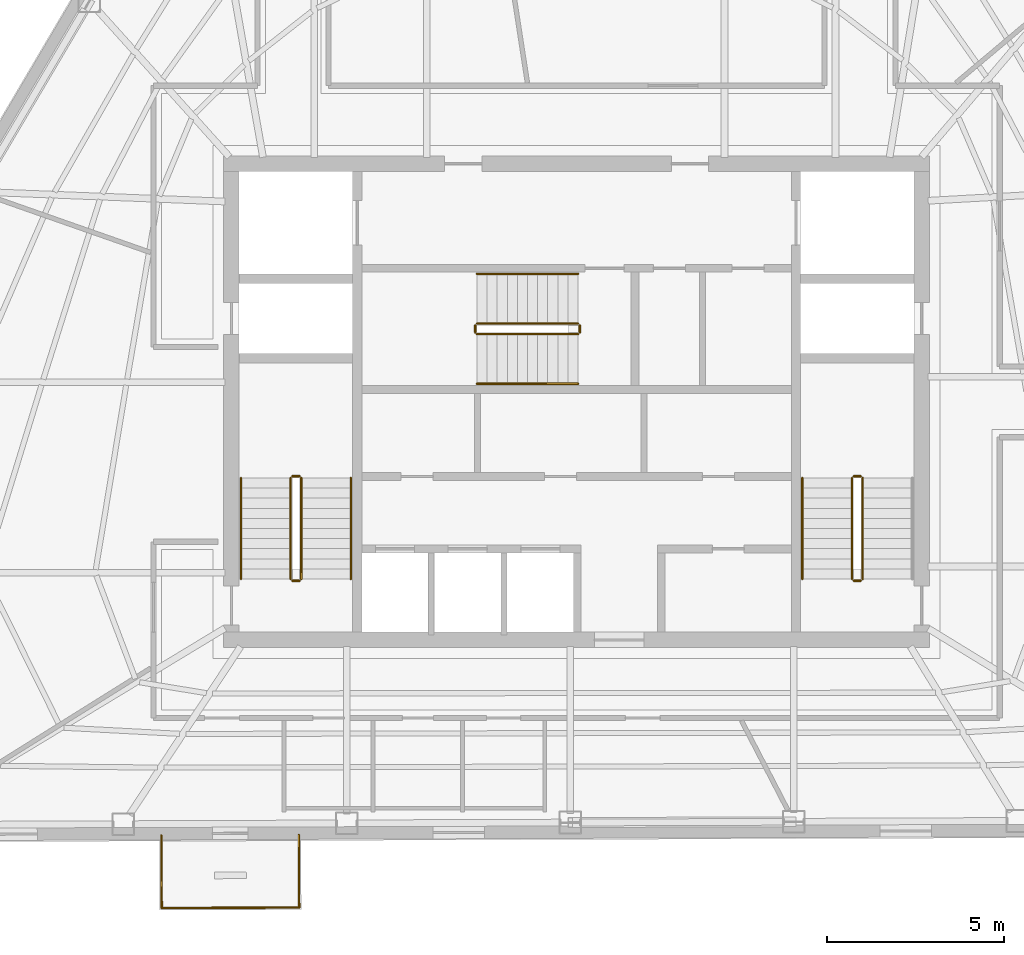
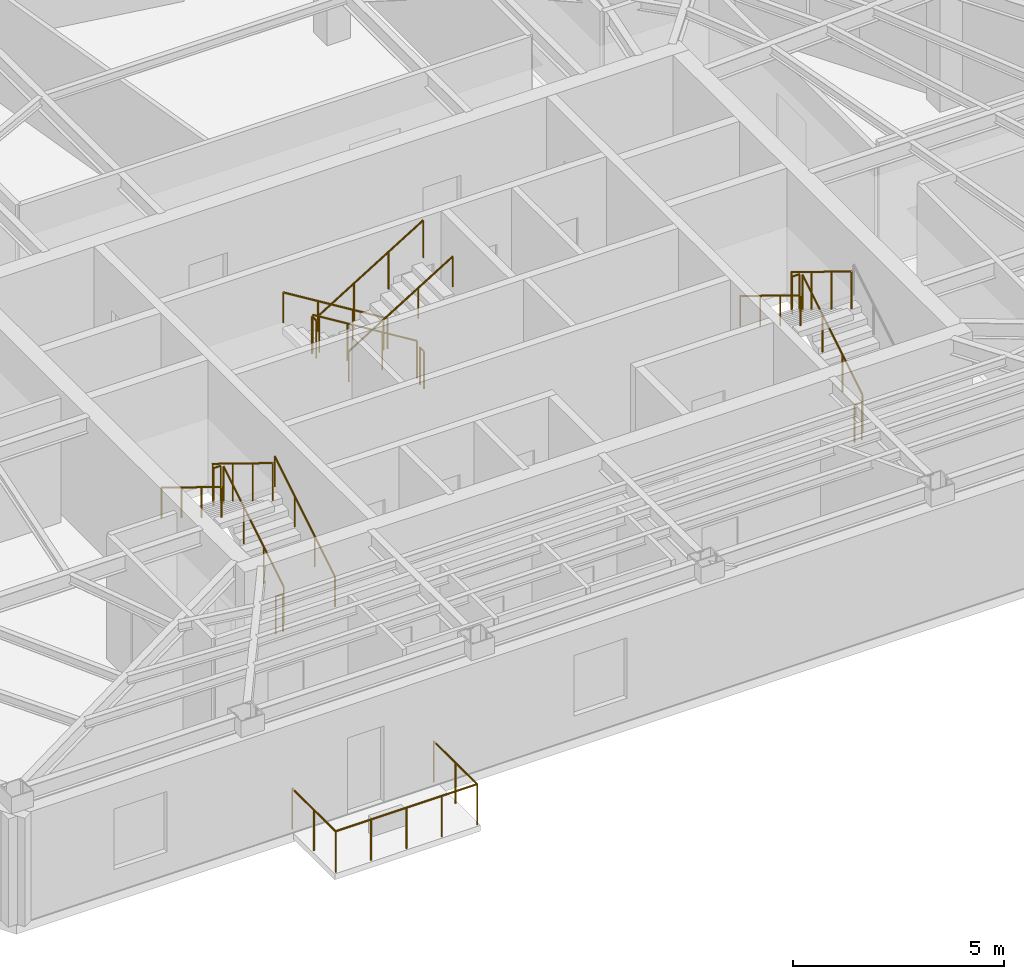
# One storey, part 8 of 9: 20 railings.
"""IFC4 building model written with IfcOpenShell, lengths in metres."""

from ifc_helpers import new_model, si_unit, direction, frame, origin, origin_2d, place, context, subcontext, project, spatial, circle, extrude, material, type_object, element, save


model = new_model("IFC4")

# Units and contexts
model_context = context("Model", 3, precision=1e-05, world=origin(), true_north=direction((0.0, 1.0)))
body_context = subcontext(model_context, "Body", "Model", "MODEL_VIEW")
ifc_project = project(units=[si_unit("LENGTHUNIT", "METRE"), si_unit("AREAUNIT", "SQUARE_METRE"), si_unit("VOLUMEUNIT", "CUBIC_METRE"), si_unit("PLANEANGLEUNIT", "RADIAN"), si_unit("MASSUNIT", "GRAM", prefix="KILO")], contexts=[model_context])

# Site, building, storey
site_placement = place(None, origin())
site = spatial("IfcSite", under=ifc_project, at=site_placement, CompositionType="ELEMENT")
building_placement = place(site_placement, origin())
building = spatial("IfcBuilding", under=site, at=building_placement, Name="Kavelnor Concourse Tower", CompositionType="ELEMENT")
storey_placement = place(building_placement, frame((0.0, 0.0, 207.35009765625)))
storey = spatial("IfcBuildingStorey", under=building, at=storey_placement, Name="L52", CompositionType="ELEMENT", Elevation=207.35009765625)

# Railings
ifc_material_1 = material(Name="Steel Grade 350", Category="steel")
railing_type_1 = type_object("IfcRailingType", Name="RLG-GUARD-1100", PredefinedType="GUARDRAIL", material=ifc_material_1)
railing_1_placement = place(storey_placement, frame((30.22998046875, 11.10009765625, 0.1748046875)))
element("IfcRailing", 1, at=railing_1_placement, inside=storey, type_object=railing_type_1, Name="L52 ST1 stair guard 1", PredefinedType="GUARDRAIL", context=body_context, shape_type="SweptSolid", body=[
    extrude(circle(Radius=0.02392578125, at=origin_2d()), frame((0.0, 0.0, 1.076171875), z_axis=(0.0, 0.852159232446, 0.523282564737), x_axis=(-1.0, 0.0, 0.0)), (0.0, 0.0, 1.0), 3.34423828125),
    extrude(circle(Radius=0.02099609375, at=origin_2d()), origin(), (0.0, 0.0, 1.0), 1.052001953125),
    extrude(circle(Radius=0.02099609375, at=origin_2d()), frame((0.0, 0.949951171875, 0.583251953125)), (0.0, 0.0, 1.0), 1.052001953125),
    extrude(circle(Radius=0.02099609375, at=origin_2d()), frame((0.0, 1.89990234375, 1.166748046875)), (0.0, 0.0, 1.0), 1.052001953125),
    extrude(circle(Radius=0.02099609375, at=origin_2d()), frame((0.0, 2.849853515625, 1.75)), (0.0, 0.0, 1.0), 1.052001953125),
])
railing_2_placement = place(storey_placement, frame((30.179931640625, 14.0, 1.9248046875)))
element("IfcRailing", 2, at=railing_2_placement, inside=storey, type_object=railing_type_1, Name="L52 ST1 stair guard 2", PredefinedType="GUARDRAIL", context=body_context, shape_type="SweptSolid", body=[
    extrude(circle(Radius=0.02392578125, at=origin_2d()), frame((0.0, 0.0, 1.076171875), z_axis=(-1.0, 0.0, 0.0), x_axis=(0.0, -1.0, 0.0)), (0.0, 0.0, 1.0), 0.199951171875),
    extrude(circle(Radius=0.02099609375, at=origin_2d()), origin(), (0.0, 0.0, 1.0), 1.052001953125),
    extrude(circle(Radius=0.02099609375, at=origin_2d()), frame((-0.199951171875, 0.0, 0.0)), (0.0, 0.0, 1.0), 1.052001953125),
])
railing_3_placement = place(storey_placement, frame((29.929931640625, 13.949951171875, 2.099853515625)))
element("IfcRailing", 3, at=railing_3_placement, inside=storey, type_object=railing_type_1, Name="L52 ST1 stair guard 3", PredefinedType="GUARDRAIL", context=body_context, shape_type="SweptSolid", body=[
    extrude(circle(Radius=0.02392578125, at=origin_2d()), frame((0.0, 0.0, 1.076171875), z_axis=(0.0, -0.852159232446, 0.523282564737), x_axis=(1.0, 0.0, 0.0)), (0.0, 0.0, 1.0), 3.34423828125),
    extrude(circle(Radius=0.02099609375, at=origin_2d()), origin(), (0.0, 0.0, 1.0), 1.052001953125),
    extrude(circle(Radius=0.02099609375, at=origin_2d()), frame((0.0, -0.949951171875, 0.583251953125)), (0.0, 0.0, 1.0), 1.052001953125),
    extrude(circle(Radius=0.02099609375, at=origin_2d()), frame((0.0, -1.89990234375, 1.166748046875)), (0.0, 0.0, 1.0), 1.052001953125),
    extrude(circle(Radius=0.02099609375, at=origin_2d()), frame((0.0, -2.849853515625, 1.75)), (0.0, 0.0, 1.0), 1.052001953125),
])
railing_4_placement = place(storey_placement, frame((30.179931640625, 11.050048828125, 0.0)))
element("IfcRailing", 4, at=railing_4_placement, inside=storey, type_object=railing_type_1, Name="L52 ST1 stair guard 4", PredefinedType="GUARDRAIL", context=body_context, shape_type="SweptSolid", body=[
    extrude(circle(Radius=0.02392578125, at=origin_2d()), frame((0.0, 0.0, 1.076171875), z_axis=(-1.0, 0.0, 0.0), x_axis=(0.0, -1.0, 0.0)), (0.0, 0.0, 1.0), 0.199951171875),
    extrude(circle(Radius=0.02099609375, at=origin_2d()), origin(), (0.0, 0.0, 1.0), 1.052001953125),
    extrude(circle(Radius=0.02099609375, at=origin_2d()), frame((-0.199951171875, 0.0, 0.0)), (0.0, 0.0, 1.0), 1.052001953125),
])
railing_5_placement = place(storey_placement, frame((46.070068359375, 11.10009765625, 0.1748046875)))
element("IfcRailing", 5, at=railing_5_placement, inside=storey, type_object=railing_type_1, Name="L52 ST2 stair guard 1", PredefinedType="GUARDRAIL", context=body_context, shape_type="SweptSolid", body=[
    extrude(circle(Radius=0.02392578125, at=origin_2d()), frame((0.0, 0.0, 1.076171875), z_axis=(0.0, 0.852159232446, 0.523282564737), x_axis=(-1.0, 0.0, 0.0)), (0.0, 0.0, 1.0), 3.34423828125),
    extrude(circle(Radius=0.02099609375, at=origin_2d()), origin(), (0.0, 0.0, 1.0), 1.052001953125),
    extrude(circle(Radius=0.02099609375, at=origin_2d()), frame((0.0, 0.949951171875, 0.583251953125)), (0.0, 0.0, 1.0), 1.052001953125),
    extrude(circle(Radius=0.02099609375, at=origin_2d()), frame((0.0, 1.89990234375, 1.166748046875)), (0.0, 0.0, 1.0), 1.052001953125),
    extrude(circle(Radius=0.02099609375, at=origin_2d()), frame((0.0, 2.849853515625, 1.75)), (0.0, 0.0, 1.0), 1.052001953125),
])
railing_6_placement = place(storey_placement, frame((46.02001953125, 14.0, 1.9248046875)))
element("IfcRailing", 6, at=railing_6_placement, inside=storey, type_object=railing_type_1, Name="L52 ST2 stair guard 2", PredefinedType="GUARDRAIL", context=body_context, shape_type="SweptSolid", body=[
    extrude(circle(Radius=0.02392578125, at=origin_2d()), frame((0.0, 0.0, 1.076171875), z_axis=(-1.0, 0.0, 0.0), x_axis=(0.0, -1.0, 0.0)), (0.0, 0.0, 1.0), 0.199951171875),
    extrude(circle(Radius=0.02099609375, at=origin_2d()), origin(), (0.0, 0.0, 1.0), 1.052001953125),
    extrude(circle(Radius=0.02099609375, at=origin_2d()), frame((-0.199951171875, 0.0, 0.0)), (0.0, 0.0, 1.0), 1.052001953125),
])
railing_7_placement = place(storey_placement, frame((45.77001953125, 13.949951171875, 2.099853515625)))
element("IfcRailing", 7, at=railing_7_placement, inside=storey, type_object=railing_type_1, Name="L52 ST2 stair guard 3", PredefinedType="GUARDRAIL", context=body_context, shape_type="SweptSolid", body=[
    extrude(circle(Radius=0.02392578125, at=origin_2d()), frame((0.0, 0.0, 1.076171875), z_axis=(0.0, -0.852159232446, 0.523282564737), x_axis=(1.0, 0.0, 0.0)), (0.0, 0.0, 1.0), 3.34423828125),
    extrude(circle(Radius=0.02099609375, at=origin_2d()), origin(), (0.0, 0.0, 1.0), 1.052001953125),
    extrude(circle(Radius=0.02099609375, at=origin_2d()), frame((0.0, -0.949951171875, 0.583251953125)), (0.0, 0.0, 1.0), 1.052001953125),
    extrude(circle(Radius=0.02099609375, at=origin_2d()), frame((0.0, -1.89990234375, 1.166748046875)), (0.0, 0.0, 1.0), 1.052001953125),
    extrude(circle(Radius=0.02099609375, at=origin_2d()), frame((0.0, -2.849853515625, 1.75)), (0.0, 0.0, 1.0), 1.052001953125),
])
railing_8_placement = place(storey_placement, frame((46.02001953125, 11.050048828125, 0.0)))
element("IfcRailing", 8, at=railing_8_placement, inside=storey, type_object=railing_type_1, Name="L52 ST2 stair guard 4", PredefinedType="GUARDRAIL", context=body_context, shape_type="SweptSolid", body=[
    extrude(circle(Radius=0.02392578125, at=origin_2d()), frame((0.0, 0.0, 1.076171875), z_axis=(-1.0, 0.0, 0.0), x_axis=(0.0, -1.0, 0.0)), (0.0, 0.0, 1.0), 0.199951171875),
    extrude(circle(Radius=0.02099609375, at=origin_2d()), origin(), (0.0, 0.0, 1.0), 1.052001953125),
    extrude(circle(Radius=0.02099609375, at=origin_2d()), frame((-0.199951171875, 0.0, 0.0)), (0.0, 0.0, 1.0), 1.052001953125),
])
railing_9_placement = place(storey_placement, frame((38.0400390625, 18.31005859375, 0.1748046875)))
element("IfcRailing", 9, at=railing_9_placement, inside=storey, type_object=railing_type_1, Name="L52 ST3 stair guard 1", PredefinedType="GUARDRAIL", context=body_context, shape_type="SweptSolid", body=[
    extrude(circle(Radius=0.02392578125, at=origin_2d()), frame((0.0, 0.0, 1.076171875), z_axis=(-0.852179220489, 0.0, 0.52325001306), x_axis=(0.0, -1.0, 0.0)), (0.0, 0.0, 1.0), 3.344482421875),
    extrude(circle(Radius=0.02099609375, at=origin_2d()), origin(), (0.0, 0.0, 1.0), 1.052001953125),
    extrude(circle(Radius=0.02099609375, at=origin_2d()), frame((-0.949951171875, 0.0, 0.583251953125)), (0.0, 0.0, 1.0), 1.052001953125),
    extrude(circle(Radius=0.02099609375, at=origin_2d()), frame((-1.900146484375, 0.0, 1.166748046875)), (0.0, 0.0, 1.0), 1.052001953125),
    extrude(circle(Radius=0.02099609375, at=origin_2d()), frame((-2.85009765625, 0.0, 1.75)), (0.0, 0.0, 1.0), 1.052001953125),
])
railing_10_placement = place(storey_placement, frame((35.139892578125, 18.260009765625, 1.9248046875)))
element("IfcRailing", 10, at=railing_10_placement, inside=storey, type_object=railing_type_1, Name="L52 ST3 stair guard 2", PredefinedType="GUARDRAIL", context=body_context, shape_type="SweptSolid", body=[
    extrude(circle(Radius=0.02392578125, at=origin_2d()), frame((0.0, 0.0, 1.076171875), z_axis=(0.0, -1.0, 0.0), x_axis=(1.0, 0.0, 0.0)), (0.0, 0.0, 1.0), 0.199951171875),
    extrude(circle(Radius=0.02099609375, at=origin_2d()), origin(), (0.0, 0.0, 1.0), 1.052001953125),
    extrude(circle(Radius=0.02099609375, at=origin_2d()), frame((0.0, -0.199951171875, 0.0)), (0.0, 0.0, 1.0), 1.052001953125),
])
railing_11_placement = place(storey_placement, frame((35.18994140625, 18.010009765625, 2.099853515625)))
element("IfcRailing", 11, at=railing_11_placement, inside=storey, type_object=railing_type_1, Name="L52 ST3 stair guard 3", PredefinedType="GUARDRAIL", context=body_context, shape_type="SweptSolid", body=[
    extrude(circle(Radius=0.02392578125, at=origin_2d()), frame((0.0, 0.0, 1.076171875), z_axis=(0.852179220489, 0.0, 0.52325001306), x_axis=(0.0, 1.0, 0.0)), (0.0, 0.0, 1.0), 3.344482421875),
    extrude(circle(Radius=0.02099609375, at=origin_2d()), origin(), (0.0, 0.0, 1.0), 1.052001953125),
    extrude(circle(Radius=0.02099609375, at=origin_2d()), frame((0.949951171875, 0.0, 0.583251953125)), (0.0, 0.0, 1.0), 1.052001953125),
    extrude(circle(Radius=0.02099609375, at=origin_2d()), frame((1.900146484375, 0.0, 1.166748046875)), (0.0, 0.0, 1.0), 1.052001953125),
    extrude(circle(Radius=0.02099609375, at=origin_2d()), frame((2.85009765625, 0.0, 1.75)), (0.0, 0.0, 1.0), 1.052001953125),
])
railing_12_placement = place(storey_placement, frame((38.090087890625, 18.260009765625, 0.0)))
element("IfcRailing", 12, at=railing_12_placement, inside=storey, type_object=railing_type_1, Name="L52 ST3 stair guard 4", PredefinedType="GUARDRAIL", context=body_context, shape_type="SweptSolid", body=[
    extrude(circle(Radius=0.02392578125, at=origin_2d()), frame((0.0, 0.0, 1.076171875), z_axis=(0.0, -1.0, 0.0), x_axis=(1.0, 0.0, 0.0)), (0.0, 0.0, 1.0), 0.199951171875),
    extrude(circle(Radius=0.02099609375, at=origin_2d()), origin(), (0.0, 0.0, 1.0), 1.052001953125),
    extrude(circle(Radius=0.02099609375, at=origin_2d()), frame((0.0, -0.199951171875, 0.0)), (0.0, 0.0, 1.0), 1.052001953125),
])
railing_type_2 = type_object("IfcRailingType", Name="RLG-HANDRAIL-900", PredefinedType="HANDRAIL", material=ifc_material_1)
railing_13_placement = place(storey_placement, frame((31.6298828125, 11.10009765625, 0.1748046875)))
element("IfcRailing", 13, at=railing_13_placement, inside=storey, type_object=railing_type_2, Name="L52 ST1 stair handrail 1", PredefinedType="HANDRAIL", context=body_context, shape_type="SweptSolid", body=[
    extrude(circle(Radius=0.02392578125, at=origin_2d()), frame((0.0, 0.0, 0.8759765625), z_axis=(0.0, 0.852159232446, 0.523282564737), x_axis=(-1.0, 0.0, 0.0)), (0.0, 0.0, 1.0), 3.34423828125),
    extrude(circle(Radius=0.02099609375, at=origin_2d()), origin(), (0.0, 0.0, 1.0), 0.851806640625),
    extrude(circle(Radius=0.02099609375, at=origin_2d()), frame((0.0, 0.949951171875, 0.583251953125)), (0.0, 0.0, 1.0), 0.851806640625),
    extrude(circle(Radius=0.02099609375, at=origin_2d()), frame((0.0, 1.89990234375, 1.166748046875)), (0.0, 0.0, 1.0), 0.851806640625),
    extrude(circle(Radius=0.02099609375, at=origin_2d()), frame((0.0, 2.849853515625, 1.75)), (0.0, 0.0, 1.0), 0.851806640625),
])
for number, where, name in (
    (14, (28.530029296875, 13.949951171875, 2.099853515625), "L52 ST1 stair handrail 2"),
    (15, (44.3701171875, 13.949951171875, 2.099853515625), "L52 ST2 stair handrail 2"),
):
    element("IfcRailing", number, at=place(storey_placement, frame(where)), inside=storey, type_object=railing_type_2, Name=name, PredefinedType="HANDRAIL", context=body_context, shape_type="SweptSolid", body=[
        extrude(circle(Radius=0.02392578125, at=origin_2d()), frame((0.0, 0.0, 0.8759765625), z_axis=(0.0, -0.852159232446, 0.523282564737), x_axis=(1.0, 0.0, 0.0)), (0.0, 0.0, 1.0), 3.34423828125),
        extrude(circle(Radius=0.02099609375, at=origin_2d()), origin(), (0.0, 0.0, 1.0), 0.851806640625),
        extrude(circle(Radius=0.02099609375, at=origin_2d()), frame((0.0, -0.949951171875, 0.583251953125)), (0.0, 0.0, 1.0), 0.851806640625),
        extrude(circle(Radius=0.02099609375, at=origin_2d()), frame((0.0, -1.89990234375, 1.166748046875)), (0.0, 0.0, 1.0), 0.851806640625),
        extrude(circle(Radius=0.02099609375, at=origin_2d()), frame((0.0, -2.849853515625, 1.75)), (0.0, 0.0, 1.0), 0.851806640625),
    ])
railing_14_placement = place(storey_placement, frame((38.0400390625, 19.7099609375, 0.1748046875)))
element("IfcRailing", 16, at=railing_14_placement, inside=storey, type_object=railing_type_2, Name="L52 ST3 stair handrail 1", PredefinedType="HANDRAIL", context=body_context, shape_type="SweptSolid", body=[
    extrude(circle(Radius=0.02392578125, at=origin_2d()), frame((0.0, 0.0, 0.8759765625), z_axis=(-0.852179220489, 0.0, 0.52325001306), x_axis=(0.0, -1.0, 0.0)), (0.0, 0.0, 1.0), 3.344482421875),
    extrude(circle(Radius=0.02099609375, at=origin_2d()), origin(), (0.0, 0.0, 1.0), 0.851806640625),
    extrude(circle(Radius=0.02099609375, at=origin_2d()), frame((-0.949951171875, 0.0, 0.583251953125)), (0.0, 0.0, 1.0), 0.851806640625),
    extrude(circle(Radius=0.02099609375, at=origin_2d()), frame((-1.900146484375, 0.0, 1.166748046875)), (0.0, 0.0, 1.0), 0.851806640625),
    extrude(circle(Radius=0.02099609375, at=origin_2d()), frame((-2.85009765625, 0.0, 1.75)), (0.0, 0.0, 1.0), 0.851806640625),
])
railing_15_placement = place(storey_placement, frame((35.18994140625, 16.610107421875, 2.099853515625)))
element("IfcRailing", 17, at=railing_15_placement, inside=storey, type_object=railing_type_2, Name="L52 ST3 stair handrail 2", PredefinedType="HANDRAIL", context=body_context, shape_type="SweptSolid", body=[
    extrude(circle(Radius=0.02392578125, at=origin_2d()), frame((0.0, 0.0, 0.8759765625), z_axis=(0.852179220489, 0.0, 0.52325001306), x_axis=(0.0, 1.0, 0.0)), (0.0, 0.0, 1.0), 3.344482421875),
    extrude(circle(Radius=0.02099609375, at=origin_2d()), origin(), (0.0, 0.0, 1.0), 0.851806640625),
    extrude(circle(Radius=0.02099609375, at=origin_2d()), frame((0.949951171875, 0.0, 0.583251953125)), (0.0, 0.0, 1.0), 0.851806640625),
    extrude(circle(Radius=0.02099609375, at=origin_2d()), frame((1.900146484375, 0.0, 1.166748046875)), (0.0, 0.0, 1.0), 0.851806640625),
    extrude(circle(Radius=0.02099609375, at=origin_2d()), frame((2.85009765625, 0.0, 1.75)), (0.0, 0.0, 1.0), 0.851806640625),
])
ifc_material_2 = material(Name="Architectural bronze-anodised aluminium", Category="aluminium")
railing_type_3 = type_object("IfcRailingType", Name="RLG-TERRACE-1200", PredefinedType="BALUSTRADE", material=ifc_material_2)
railing_16_placement = place(storey_placement, frame((26.28369140625, 3.86474609375, 0.0)))
element("IfcRailing", 18, at=railing_16_placement, inside=storey, type_object=railing_type_3, Name="L52 Tree Balcony 1 Guardrail L", PredefinedType="BALUSTRADE", context=body_context, shape_type="SweptSolid", body=[
    extrude(circle(Radius=0.02392578125, at=origin_2d()), frame((0.0, 0.0, 1.17578125), z_axis=(0.003573107253, -0.999993616432, 0.0), x_axis=(0.999993616432, 0.003573107253, 0.0)), (0.0, 0.0, 1.0), 2.0498046875),
    extrude(circle(Radius=0.02099609375, at=origin_2d()), origin(), (0.0, 0.0, 1.0), 1.15185546875),
    extrude(circle(Radius=0.02099609375, at=origin_2d()), frame((0.003662109375, -1.02490234375, 0.0)), (0.0, 0.0, 1.0), 1.15185546875),
    extrude(circle(Radius=0.02099609375, at=origin_2d()), frame((0.00732421875, -2.0498046875, 0.0)), (0.0, 0.0, 1.0), 1.15185546875),
])
railing_17_placement = place(storey_placement, frame((26.291015625, 1.81494140625, 0.0)))
element("IfcRailing", 19, at=railing_17_placement, inside=storey, type_object=railing_type_3, Name="L52 Tree Balcony 1 Guardrail F", PredefinedType="BALUSTRADE", context=body_context, shape_type="SweptSolid", body=[
    extrude(circle(Radius=0.02392578125, at=origin_2d()), frame((0.0, 0.0, 1.17578125), z_axis=(0.999993340149, 0.00364961073, 0.0), x_axis=(-0.00364961073, 0.999993340149, 0.0)), (0.0, 0.0, 1.0), 3.8798828125),
    extrude(circle(Radius=0.02099609375, at=origin_2d()), origin(), (0.0, 0.0, 1.0), 1.15185546875),
    extrude(circle(Radius=0.02099609375, at=origin_2d()), frame((0.969970703125, 0.00341796875, 0.0)), (0.0, 0.0, 1.0), 1.15185546875),
    extrude(circle(Radius=0.02099609375, at=origin_2d()), frame((1.93994140625, 0.007080078125, 0.0)), (0.0, 0.0, 1.0), 1.15185546875),
    extrude(circle(Radius=0.02099609375, at=origin_2d()), frame((2.909912109375, 0.0107421875, 0.0)), (0.0, 0.0, 1.0), 1.15185546875),
    extrude(circle(Radius=0.02099609375, at=origin_2d()), frame((3.8798828125, 0.01416015625, 0.0)), (0.0, 0.0, 1.0), 1.15185546875),
])
railing_18_placement = place(storey_placement, frame((30.1708984375, 1.8291015625, 0.0)))
element("IfcRailing", 20, at=railing_18_placement, inside=storey, type_object=railing_type_3, Name="L52 Tree Balcony 1 Guardrail R", PredefinedType="BALUSTRADE", context=body_context, shape_type="SweptSolid", body=[
    extrude(circle(Radius=0.02392578125, at=origin_2d()), frame((0.0, 0.0, 1.17578125), z_axis=(-0.003573107253, 0.999993616432, 0.0), x_axis=(-0.999993616432, -0.003573107253, 0.0)), (0.0, 0.0, 1.0), 2.0498046875),
    extrude(circle(Radius=0.02099609375, at=origin_2d()), origin(), (0.0, 0.0, 1.0), 1.15185546875),
    extrude(circle(Radius=0.02099609375, at=origin_2d()), frame((-0.003662109375, 1.02490234375, 0.0)), (0.0, 0.0, 1.0), 1.15185546875),
    extrude(circle(Radius=0.02099609375, at=origin_2d()), frame((-0.00732421875, 2.0498046875, 0.0)), (0.0, 0.0, 1.0), 1.15185546875),
])

save(model, "model.ifc")
